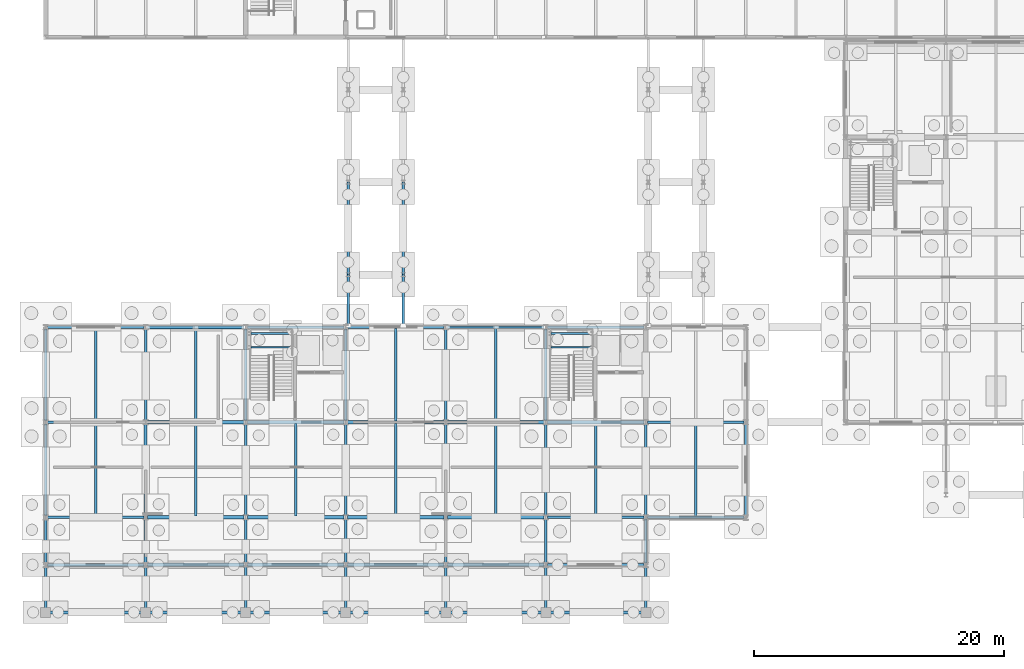
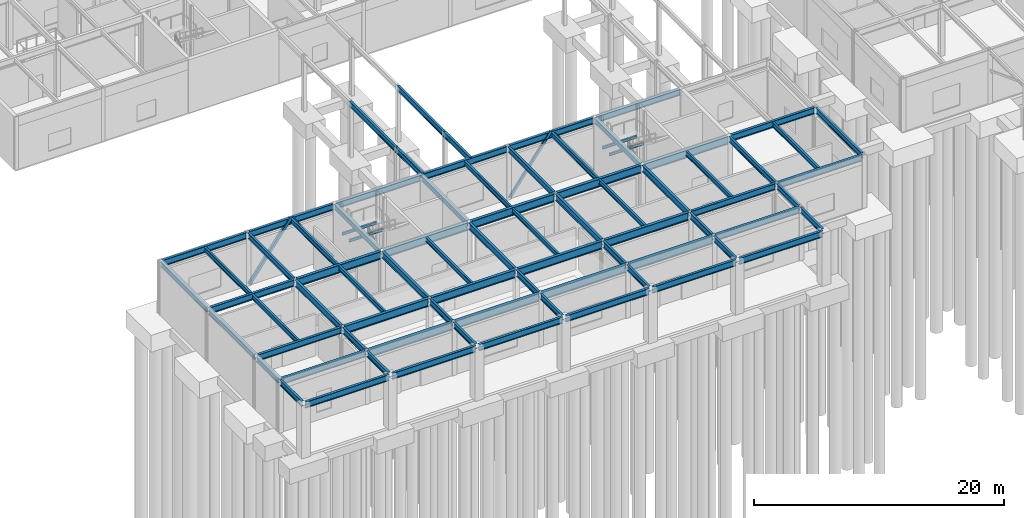
# One storey, part 28 of 62: 79 beams, 4 members.
"""IFC4 building model written with IfcOpenShell, lengths in metres."""

from ifc_helpers import new_model, si_unit, direction, frame, origin, origin_2d, place, context, subcontext, project, spatial, hollow_rectangle, i_section, extrude, material, material_profile, profile_set, type_object, element, save


model = new_model("IFC4")

# Units and contexts
model_context = context("Model", 3, precision=1e-05, world=origin(), true_north=direction((0.0, 1.0)))
body_context = subcontext(model_context, "Body", "Model", "MODEL_VIEW")
ifc_project = project(units=[si_unit("LENGTHUNIT", "METRE"), si_unit("AREAUNIT", "SQUARE_METRE"), si_unit("VOLUMEUNIT", "CUBIC_METRE"), si_unit("PLANEANGLEUNIT", "RADIAN"), si_unit("MASSUNIT", "GRAM", prefix="KILO")], contexts=[model_context])

# Site, building, storey
site_placement = place(None, origin())
site = spatial("IfcSite", under=ifc_project, at=site_placement, CompositionType="ELEMENT")
building_placement = place(site_placement, origin())
building = spatial("IfcBuilding", under=site, at=building_placement, Name="Zulena Civic Courthouse", CompositionType="ELEMENT")
storey_placement = place(building_placement, origin())
storey = spatial("IfcBuildingStorey", under=building, at=storey_placement, Name="L00", CompositionType="ELEMENT", Elevation=0.0)

# Members
ifc_material_1 = material(Name="Steel ASTM A500 Grade C", Category="steel")
ifc_material_profile_1 = material_profile(ifc_material_1, hollow_rectangle(XDim=0.25390625, YDim=0.25390625, WallThickness=0.01171875, at=origin_2d()), Name="HSS10X10X1/2")
ifc_profile_set_1 = profile_set([ifc_material_profile_1], Name="Steel ASTM A500 Grade C")
member_type_1 = type_object("IfcMemberType", Name="Brace_HSS10", PredefinedType="BRACE", material=ifc_profile_set_1)
for number, where, z_axis, x_axis, name in (
    (1, (12.14990234375, 22.800048828125, 0.010009765625), (0.593744110518, 0.0, 0.804653920158), (0.0, 1.0, 0.0), "brace:V2:L00:0:0"),
    (2, (19.85009765625, 22.800048828125, 0.010009765625), (-0.593744110518, 0.0, 0.804653920158), (0.0, -1.0, 0.0), "brace:V2:L00:0:1"),
):
    element("IfcMember", number, at=place(storey_placement, frame(where, z_axis=z_axis, x_axis=x_axis)), inside=storey, type_object=member_type_1, Name=name, PredefinedType="BRACE", context=body_context, shape_type="SweptSolid", body=[
        extrude(hollow_rectangle(XDim=0.25390625, YDim=0.25390625, WallThickness=0.01171875, at=origin_2d()), origin(), (0.0, 0.0, 1.0), 6.400146484375),
    ])
ifc_material_profile_2 = material_profile(ifc_material_1, hollow_rectangle(XDim=0.152099609375, YDim=0.25390625, WallThickness=0.0087890625, at=origin_2d()), Name="HSS10X6X3/8")
ifc_profile_set_2 = profile_set([ifc_material_profile_2], Name="Steel ASTM A500 Grade C")
member_type_2 = type_object("IfcMemberType", Name="Brace_HSS10X6", PredefinedType="BRACE", material=ifc_profile_set_2)
for number, where, z_axis, x_axis, name in (
    (3, (36.14990234375, 22.800048828125, 0.010009765625), (0.593744110518, 0.0, 0.804653920158), (0.0, 1.0, 0.0), "brace:V2:L00:1:0"),
    (4, (43.85009765625, 22.800048828125, 0.010009765625), (-0.593744110518, 0.0, 0.804653920158), (0.0, -1.0, 0.0), "brace:V2:L00:1:1"),
):
    element("IfcMember", number, at=place(storey_placement, frame(where, z_axis=z_axis, x_axis=x_axis)), inside=storey, type_object=member_type_2, Name=name, PredefinedType="BRACE", context=body_context, shape_type="SweptSolid", body=[
        extrude(hollow_rectangle(XDim=0.152099609375, YDim=0.25390625, WallThickness=0.0087890625, at=origin_2d()), origin(), (0.0, 0.0, 1.0), 6.400146484375),
    ])

# Beams
ifc_material_2 = material(Name="Steel ASTM A992 Grade 50", Category="steel")
ifc_material_profile_3 = material_profile(ifc_material_2, i_section(OverallWidth=0.2099609375, OverallDepth=0.537109375, WebThickness=0.010986328125, FlangeThickness=0.017333984375, FilletRadius=0.0126953125, at=origin_2d()), Name="W21X68")
ifc_profile_set_3 = profile_set([ifc_material_profile_3], Name="Steel ASTM A992 Grade 50")
beam_type_1 = type_object("IfcBeamType", Name="BridgeGirder_W21X68", PredefinedType="BEAM", material=ifc_profile_set_3)
beam_1_placement = place(storey_placement, frame((28.199951171875, 22.830078125, 4.9365234375), z_axis=(0.0, 1.0, 0.0), x_axis=(-1.0, 0.0, 0.0)))
element("IfcBeam", 5, at=beam_1_placement, inside=storey, type_object=beam_type_1, Name="beam:bridge:BR-52J:L01:28.20:0", PredefinedType="BEAM", context=body_context, shape_type="SweptSolid", body=[
    extrude(i_section(OverallWidth=0.2099609375, OverallDepth=0.537109375, WebThickness=0.010986328125, FlangeThickness=0.017333984375, FilletRadius=0.0126953125, at=origin_2d()), origin(), (0.0, 0.0, 1.0), 4.169921875),
])
beam_2_placement = place(storey_placement, frame((28.199951171875, 27.0, 4.9365234375), z_axis=(0.0, 1.0, 0.0), x_axis=(-1.0, 0.0, 0.0)))
element("IfcBeam", 6, at=beam_2_placement, inside=storey, type_object=beam_type_1, Name="beam:bridge:BR-52J:L01:28.20:1", PredefinedType="BEAM", context=body_context, shape_type="SweptSolid", body=[
    extrude(i_section(OverallWidth=0.2099609375, OverallDepth=0.537109375, WebThickness=0.010986328125, FlangeThickness=0.017333984375, FilletRadius=0.0126953125, at=origin_2d()), origin(), (0.0, 0.0, 1.0), 7.39990234375),
])
beam_3_placement = place(storey_placement, frame((32.60009765625, 22.830078125, 4.9365234375), z_axis=(0.0, 1.0, 0.0), x_axis=(-1.0, 0.0, 0.0)))
element("IfcBeam", 7, at=beam_3_placement, inside=storey, type_object=beam_type_1, Name="beam:bridge:BR-52J:L01:32.60:0", PredefinedType="BEAM", context=body_context, shape_type="SweptSolid", body=[
    extrude(i_section(OverallWidth=0.2099609375, OverallDepth=0.537109375, WebThickness=0.010986328125, FlangeThickness=0.017333984375, FilletRadius=0.0126953125, at=origin_2d()), origin(), (0.0, 0.0, 1.0), 4.169921875),
])
beam_4_placement = place(storey_placement, frame((32.60009765625, 27.0, 4.9365234375), z_axis=(0.0, 1.0, 0.0), x_axis=(-1.0, 0.0, 0.0)))
element("IfcBeam", 8, at=beam_4_placement, inside=storey, type_object=beam_type_1, Name="beam:bridge:BR-52J:L01:32.60:1", PredefinedType="BEAM", context=body_context, shape_type="SweptSolid", body=[
    extrude(i_section(OverallWidth=0.2099609375, OverallDepth=0.537109375, WebThickness=0.010986328125, FlangeThickness=0.017333984375, FilletRadius=0.0126953125, at=origin_2d()), origin(), (0.0, 0.0, 1.0), 7.39990234375),
])
ifc_material_profile_4 = material_profile(ifc_material_2, i_section(OverallWidth=0.22998046875, OverallDepth=0.616943359375, WebThickness=0.01318359375, FlangeThickness=0.022216796875, FilletRadius=0.0126953125, at=origin_2d()), Name="W24X94")
ifc_profile_set_4 = profile_set([ifc_material_profile_4], Name="Steel ASTM A992 Grade 50")
beam_type_2 = type_object("IfcBeamType", Name="Girder_W24X94", PredefinedType="BEAM", material=ifc_profile_set_4)
beam_5_placement = place(storey_placement, frame((12.0, 3.945068359375, 4.87646484375), z_axis=(0.0, 1.0, 0.0), x_axis=(-1.0, 0.0, 0.0)))
element("IfcBeam", 9, at=beam_5_placement, inside=storey, type_object=beam_type_2, Name="beam:Y:V2:L00:12.0:3.8_7.6", PredefinedType="BEAM", context=body_context, shape_type="SweptSolid", body=[
    extrude(i_section(OverallWidth=0.22998046875, OverallDepth=0.616943359375, WebThickness=0.01318359375, FlangeThickness=0.022216796875, FilletRadius=0.0126953125, at=origin_2d()), origin(), (0.0, 0.0, 1.0), 3.510009765625),
])
beam_6_placement = place(storey_placement, frame((12.0, 7.7451171875, 4.87646484375), z_axis=(0.0, 1.0, 0.0), x_axis=(-1.0, 0.0, 0.0)))
element("IfcBeam", 10, at=beam_6_placement, inside=storey, type_object=beam_type_2, Name="beam:Y:V2:L00:12.0:7.6_15.2", PredefinedType="BEAM", context=body_context, shape_type="SweptSolid", body=[
    extrude(i_section(OverallWidth=0.22998046875, OverallDepth=0.616943359375, WebThickness=0.01318359375, FlangeThickness=0.022216796875, FilletRadius=0.0126953125, at=origin_2d()), origin(), (0.0, 0.0, 1.0), 7.309814453125),
])
beam_7_placement = place(storey_placement, frame((20.0, 3.945068359375, 4.87646484375), z_axis=(0.0, 1.0, 0.0), x_axis=(-1.0, 0.0, 0.0)))
element("IfcBeam", 11, at=beam_7_placement, inside=storey, type_object=beam_type_2, Name="beam:Y:V2:L00:20.0:3.8_7.6", PredefinedType="BEAM", context=body_context, shape_type="SweptSolid", body=[
    extrude(i_section(OverallWidth=0.22998046875, OverallDepth=0.616943359375, WebThickness=0.01318359375, FlangeThickness=0.022216796875, FilletRadius=0.0126953125, at=origin_2d()), origin(), (0.0, 0.0, 1.0), 3.510009765625),
])
beam_8_placement = place(storey_placement, frame((20.0, 7.7451171875, 4.87646484375), z_axis=(0.0, 1.0, 0.0), x_axis=(-1.0, 0.0, 0.0)))
element("IfcBeam", 12, at=beam_8_placement, inside=storey, type_object=beam_type_2, Name="beam:Y:V2:L00:20.0:7.6_15.2", PredefinedType="BEAM", context=body_context, shape_type="SweptSolid", body=[
    extrude(i_section(OverallWidth=0.22998046875, OverallDepth=0.616943359375, WebThickness=0.01318359375, FlangeThickness=0.022216796875, FilletRadius=0.0126953125, at=origin_2d()), origin(), (0.0, 0.0, 1.0), 7.309814453125),
])
beam_9_placement = place(storey_placement, frame((28.0, 3.945068359375, 4.87646484375), z_axis=(0.0, 1.0, 0.0), x_axis=(-1.0, 0.0, 0.0)))
element("IfcBeam", 13, at=beam_9_placement, inside=storey, type_object=beam_type_2, Name="beam:Y:V2:L00:28.0:3.8_7.6", PredefinedType="BEAM", context=body_context, shape_type="SweptSolid", body=[
    extrude(i_section(OverallWidth=0.22998046875, OverallDepth=0.616943359375, WebThickness=0.01318359375, FlangeThickness=0.022216796875, FilletRadius=0.0126953125, at=origin_2d()), origin(), (0.0, 0.0, 1.0), 3.510009765625),
])
beam_10_placement = place(storey_placement, frame((28.0, 7.7451171875, 4.87646484375), z_axis=(0.0, 1.0, 0.0), x_axis=(-1.0, 0.0, 0.0)))
element("IfcBeam", 14, at=beam_10_placement, inside=storey, type_object=beam_type_2, Name="beam:Y:V2:L00:28.0:7.6_15.2", PredefinedType="BEAM", context=body_context, shape_type="SweptSolid", body=[
    extrude(i_section(OverallWidth=0.22998046875, OverallDepth=0.616943359375, WebThickness=0.01318359375, FlangeThickness=0.022216796875, FilletRadius=0.0126953125, at=origin_2d()), origin(), (0.0, 0.0, 1.0), 7.309814453125),
])
beam_11_placement = place(storey_placement, frame((36.0, 3.945068359375, 4.87646484375), z_axis=(0.0, 1.0, 0.0), x_axis=(-1.0, 0.0, 0.0)))
element("IfcBeam", 15, at=beam_11_placement, inside=storey, type_object=beam_type_2, Name="beam:Y:V2:L00:36.0:3.8_7.6", PredefinedType="BEAM", context=body_context, shape_type="SweptSolid", body=[
    extrude(i_section(OverallWidth=0.22998046875, OverallDepth=0.616943359375, WebThickness=0.01318359375, FlangeThickness=0.022216796875, FilletRadius=0.0126953125, at=origin_2d()), origin(), (0.0, 0.0, 1.0), 3.510009765625),
])
beam_12_placement = place(storey_placement, frame((36.0, 7.7451171875, 4.87646484375), z_axis=(0.0, 1.0, 0.0), x_axis=(-1.0, 0.0, 0.0)))
element("IfcBeam", 16, at=beam_12_placement, inside=storey, type_object=beam_type_2, Name="beam:Y:V2:L00:36.0:7.6_15.2", PredefinedType="BEAM", context=body_context, shape_type="SweptSolid", body=[
    extrude(i_section(OverallWidth=0.22998046875, OverallDepth=0.616943359375, WebThickness=0.01318359375, FlangeThickness=0.022216796875, FilletRadius=0.0126953125, at=origin_2d()), origin(), (0.0, 0.0, 1.0), 7.309814453125),
])
beam_13_placement = place(storey_placement, frame((44.0, 3.945068359375, 4.87646484375), z_axis=(0.0, 1.0, 0.0), x_axis=(-1.0, 0.0, 0.0)))
element("IfcBeam", 17, at=beam_13_placement, inside=storey, type_object=beam_type_2, Name="beam:Y:V2:L00:44.0:3.8_7.6", PredefinedType="BEAM", context=body_context, shape_type="SweptSolid", body=[
    extrude(i_section(OverallWidth=0.22998046875, OverallDepth=0.616943359375, WebThickness=0.01318359375, FlangeThickness=0.022216796875, FilletRadius=0.0126953125, at=origin_2d()), origin(), (0.0, 0.0, 1.0), 3.510009765625),
])
beam_14_placement = place(storey_placement, frame((44.0, 7.7451171875, 4.87646484375), z_axis=(0.0, 1.0, 0.0), x_axis=(-1.0, 0.0, 0.0)))
element("IfcBeam", 18, at=beam_14_placement, inside=storey, type_object=beam_type_2, Name="beam:Y:V2:L00:44.0:7.6_15.2", PredefinedType="BEAM", context=body_context, shape_type="SweptSolid", body=[
    extrude(i_section(OverallWidth=0.22998046875, OverallDepth=0.616943359375, WebThickness=0.01318359375, FlangeThickness=0.022216796875, FilletRadius=0.0126953125, at=origin_2d()), origin(), (0.0, 0.0, 1.0), 7.309814453125),
])
ifc_material_profile_5 = material_profile(ifc_material_2, i_section(OverallWidth=0.26611328125, OverallDepth=0.779052734375, WebThickness=0.0166015625, FlangeThickness=0.030029296875, FilletRadius=0.0166015625, at=origin_2d()), Name="W30X148")
ifc_profile_set_5 = profile_set([ifc_material_profile_5], Name="Steel ASTM A992 Grade 50")
beam_type_3 = type_object("IfcBeamType", Name="Girder_W30X148", PredefinedType="BEAM", material=ifc_profile_set_5)
for number, where, z_axis, x_axis, name in (
    (19, (12.14501953125, 3.800048828125, 4.79541015625), (1.0, 0.0, 0.0), (0.0, 1.0, 0.0), "beam:X:V2:L00:3.8:12.0_20.0"),
    (20, (20.14501953125, 3.800048828125, 4.79541015625), (1.0, 0.0, 0.0), (0.0, 1.0, 0.0), "beam:X:V2:L00:3.8:20.0_28.0"),
    (21, (28.14501953125, 3.800048828125, 4.79541015625), (1.0, 0.0, 0.0), (0.0, 1.0, 0.0), "beam:X:V2:L00:3.8:28.0_36.0"),
    (22, (36.14501953125, 3.800048828125, 4.79541015625), (1.0, 0.0, 0.0), (0.0, 1.0, 0.0), "beam:X:V2:L00:3.8:36.0_44.0"),
    (23, (12.14501953125, 7.60009765625, 4.79541015625), (1.0, 0.0, 0.0), (0.0, 1.0, 0.0), "beam:X:V2:L00:7.6:12.0_20.0"),
    (24, (20.14501953125, 7.60009765625, 4.79541015625), (1.0, 0.0, 0.0), (0.0, 1.0, 0.0), "beam:X:V2:L00:7.6:20.0_28.0"),
    (25, (28.14501953125, 7.60009765625, 4.79541015625), (1.0, 0.0, 0.0), (0.0, 1.0, 0.0), "beam:X:V2:L00:7.6:28.0_36.0"),
    (26, (36.14501953125, 7.60009765625, 4.79541015625), (1.0, 0.0, 0.0), (0.0, 1.0, 0.0), "beam:X:V2:L00:7.6:36.0_44.0"),
    (27, (12.14501953125, 15.199951171875, 4.79541015625), (1.0, 0.0, 0.0), (0.0, 1.0, 0.0), "beam:X:V2:L00:15.2:12.0_20.0"),
    (28, (20.14501953125, 15.199951171875, 4.79541015625), (1.0, 0.0, 0.0), (0.0, 1.0, 0.0), "beam:X:V2:L00:15.2:20.0_28.0"),
    (29, (28.14501953125, 15.199951171875, 4.79541015625), (1.0, 0.0, 0.0), (0.0, 1.0, 0.0), "beam:X:V2:L00:15.2:28.0_36.0"),
    (30, (36.14501953125, 15.199951171875, 4.79541015625), (1.0, 0.0, 0.0), (0.0, 1.0, 0.0), "beam:X:V2:L00:15.2:36.0_44.0"),
    (31, (44.14501953125, 15.199951171875, 4.79541015625), (1.0, 0.0, 0.0), (0.0, 1.0, 0.0), "beam:X:V2:L00:15.2:44.0_52.0"),
):
    element("IfcBeam", number, at=place(storey_placement, frame(where, z_axis=z_axis, x_axis=x_axis)), inside=storey, type_object=beam_type_3, Name=name, PredefinedType="BEAM", context=body_context, shape_type="SweptSolid", body=[
        extrude(i_section(OverallWidth=0.26611328125, OverallDepth=0.779052734375, WebThickness=0.0166015625, FlangeThickness=0.030029296875, FilletRadius=0.0166015625, at=origin_2d()), origin(), (0.0, 0.0, 1.0), 7.7099609375),
    ])
ifc_material_profile_6 = material_profile(ifc_material_2, i_section(OverallWidth=0.14599609375, OverallDepth=0.258056640625, WebThickness=0.006103515625, FlangeThickness=0.009033203125, FilletRadius=0.007568359375, at=origin_2d()), Name="W10X22")
ifc_profile_set_6 = profile_set([ifc_material_profile_6], Name="Steel ASTM A992 Grade 50")
beam_type_4 = type_object("IfcBeamType", Name="Joist_W10X22", PredefinedType="JOIST", material=ifc_profile_set_6)
for number, where, z_axis, x_axis, name in (
    (32, (20.419921875, 21.199951171875, 2.291015625), (1.0, 0.0, 0.0), (0.0, 1.0, 0.0), "beam:lnd:K2A:L00:0"),
    (33, (20.419921875, 22.300048828125, 2.291015625), (1.0, 0.0, 0.0), (0.0, 1.0, 0.0), "beam:lnd:K2A:L00:1"),
    (34, (44.419921875, 21.199951171875, 2.291015625), (1.0, 0.0, 0.0), (0.0, 1.0, 0.0), "beam:lnd:K2B:L00:0"),
    (35, (44.419921875, 22.300048828125, 2.291015625), (1.0, 0.0, 0.0), (0.0, 1.0, 0.0), "beam:lnd:K2B:L00:1"),
):
    element("IfcBeam", number, at=place(storey_placement, frame(where, z_axis=z_axis, x_axis=x_axis)), inside=storey, type_object=beam_type_4, Name=name, PredefinedType="JOIST", context=body_context, shape_type="SweptSolid", body=[
        extrude(i_section(OverallWidth=0.14599609375, OverallDepth=0.258056640625, WebThickness=0.006103515625, FlangeThickness=0.009033203125, FilletRadius=0.007568359375, at=origin_2d()), origin(), (0.0, 0.0, 1.0), 3.2001953125),
    ])
ifc_material_profile_7 = material_profile(ifc_material_2, i_section(OverallWidth=0.19091796875, OverallDepth=0.4599609375, WebThickness=0.010009765625, FlangeThickness=0.01611328125, FilletRadius=0.01025390625, at=origin_2d()), Name="W18X55")
ifc_profile_set_7 = profile_set([ifc_material_profile_7], Name="Steel ASTM A992 Grade 50")
beam_type_5 = type_object("IfcBeamType", Name="Joist_W18X55", PredefinedType="JOIST", material=ifc_profile_set_7)
beam_15_placement = place(storey_placement, frame((8.0, 7.705078125, 4.955078125), z_axis=(0.0, 1.0, 0.0), x_axis=(-1.0, 0.0, 0.0)))
element("IfcBeam", 36, at=beam_15_placement, inside=storey, type_object=beam_type_5, Name="joist:V2:L00:8.00:7.6_15.2", PredefinedType="JOIST", context=body_context, shape_type="SweptSolid", body=[
    extrude(i_section(OverallWidth=0.19091796875, OverallDepth=0.4599609375, WebThickness=0.010009765625, FlangeThickness=0.01611328125, FilletRadius=0.01025390625, at=origin_2d()), origin(), (0.0, 0.0, 1.0), 7.389892578125),
])
beam_16_placement = place(storey_placement, frame((8.0, 15.304931640625, 4.955078125), z_axis=(0.0, 1.0, 0.0), x_axis=(-1.0, 0.0, 0.0)))
element("IfcBeam", 37, at=beam_16_placement, inside=storey, type_object=beam_type_5, Name="joist:V2:L00:8.00:15.2_22.8", PredefinedType="JOIST", context=body_context, shape_type="SweptSolid", body=[
    extrude(i_section(OverallWidth=0.19091796875, OverallDepth=0.4599609375, WebThickness=0.010009765625, FlangeThickness=0.01611328125, FilletRadius=0.01025390625, at=origin_2d()), origin(), (0.0, 0.0, 1.0), 7.39013671875),
])
beam_17_placement = place(storey_placement, frame((16.0, 7.705078125, 4.955078125), z_axis=(0.0, 1.0, 0.0), x_axis=(-1.0, 0.0, 0.0)))
element("IfcBeam", 38, at=beam_17_placement, inside=storey, type_object=beam_type_5, Name="joist:V2:L00:16.00:7.6_15.2", PredefinedType="JOIST", context=body_context, shape_type="SweptSolid", body=[
    extrude(i_section(OverallWidth=0.19091796875, OverallDepth=0.4599609375, WebThickness=0.010009765625, FlangeThickness=0.01611328125, FilletRadius=0.01025390625, at=origin_2d()), origin(), (0.0, 0.0, 1.0), 7.389892578125),
])
beam_18_placement = place(storey_placement, frame((16.0, 15.304931640625, 4.955078125), z_axis=(0.0, 1.0, 0.0), x_axis=(-1.0, 0.0, 0.0)))
element("IfcBeam", 39, at=beam_18_placement, inside=storey, type_object=beam_type_5, Name="joist:V2:L00:16.00:15.2_22.8", PredefinedType="JOIST", context=body_context, shape_type="SweptSolid", body=[
    extrude(i_section(OverallWidth=0.19091796875, OverallDepth=0.4599609375, WebThickness=0.010009765625, FlangeThickness=0.01611328125, FilletRadius=0.01025390625, at=origin_2d()), origin(), (0.0, 0.0, 1.0), 7.39013671875),
])
for number, where, z_axis, x_axis, name in (
    (40, (24.0, 7.705078125, 4.955078125), (0.0, 1.0, 0.0), (-1.0, 0.0, 0.0), "joist:V2:L00:24.00:7.6_15.2"),
    (41, (32.0, 7.705078125, 4.955078125), (0.0, 1.0, 0.0), (-1.0, 0.0, 0.0), "joist:V2:L00:32.00:7.6_15.2"),
):
    element("IfcBeam", number, at=place(storey_placement, frame(where, z_axis=z_axis, x_axis=x_axis)), inside=storey, type_object=beam_type_5, Name=name, PredefinedType="JOIST", context=body_context, shape_type="SweptSolid", body=[
        extrude(i_section(OverallWidth=0.19091796875, OverallDepth=0.4599609375, WebThickness=0.010009765625, FlangeThickness=0.01611328125, FilletRadius=0.01025390625, at=origin_2d()), origin(), (0.0, 0.0, 1.0), 7.389892578125),
    ])
beam_19_placement = place(storey_placement, frame((32.0, 15.304931640625, 4.955078125), z_axis=(0.0, 1.0, 0.0), x_axis=(-1.0, 0.0, 0.0)))
element("IfcBeam", 42, at=beam_19_placement, inside=storey, type_object=beam_type_5, Name="joist:V2:L00:32.00:15.2_22.8", PredefinedType="JOIST", context=body_context, shape_type="SweptSolid", body=[
    extrude(i_section(OverallWidth=0.19091796875, OverallDepth=0.4599609375, WebThickness=0.010009765625, FlangeThickness=0.01611328125, FilletRadius=0.01025390625, at=origin_2d()), origin(), (0.0, 0.0, 1.0), 7.39013671875),
])
beam_20_placement = place(storey_placement, frame((40.0, 7.705078125, 4.955078125), z_axis=(0.0, 1.0, 0.0), x_axis=(-1.0, 0.0, 0.0)))
element("IfcBeam", 43, at=beam_20_placement, inside=storey, type_object=beam_type_5, Name="joist:V2:L00:40.00:7.6_15.2", PredefinedType="JOIST", context=body_context, shape_type="SweptSolid", body=[
    extrude(i_section(OverallWidth=0.19091796875, OverallDepth=0.4599609375, WebThickness=0.010009765625, FlangeThickness=0.01611328125, FilletRadius=0.01025390625, at=origin_2d()), origin(), (0.0, 0.0, 1.0), 7.389892578125),
])
beam_21_placement = place(storey_placement, frame((40.0, 15.304931640625, 4.955078125), z_axis=(0.0, 1.0, 0.0), x_axis=(-1.0, 0.0, 0.0)))
element("IfcBeam", 44, at=beam_21_placement, inside=storey, type_object=beam_type_5, Name="joist:V2:L00:40.00:15.2_22.8", PredefinedType="JOIST", context=body_context, shape_type="SweptSolid", body=[
    extrude(i_section(OverallWidth=0.19091796875, OverallDepth=0.4599609375, WebThickness=0.010009765625, FlangeThickness=0.01611328125, FilletRadius=0.01025390625, at=origin_2d()), origin(), (0.0, 0.0, 1.0), 7.39013671875),
])
for number, where, z_axis, x_axis, name in (
    (45, (48.0, 7.705078125, 4.955078125), (0.0, 1.0, 0.0), (-1.0, 0.0, 0.0), "joist:V2:L00:48.00:7.6_15.2"),
    (46, (56.0, 7.705078125, 4.955078125), (0.0, 1.0, 0.0), (-1.0, 0.0, 0.0), "joist:V2:L00:56.00:7.6_15.2"),
):
    element("IfcBeam", number, at=place(storey_placement, frame(where, z_axis=z_axis, x_axis=x_axis)), inside=storey, type_object=beam_type_5, Name=name, PredefinedType="JOIST", context=body_context, shape_type="SweptSolid", body=[
        extrude(i_section(OverallWidth=0.19091796875, OverallDepth=0.4599609375, WebThickness=0.010009765625, FlangeThickness=0.01611328125, FilletRadius=0.01025390625, at=origin_2d()), origin(), (0.0, 0.0, 1.0), 7.389892578125),
    ])
ifc_material_profile_8 = material_profile(ifc_material_2, i_section(OverallWidth=0.2099609375, OverallDepth=0.537109375, WebThickness=0.010986328125, FlangeThickness=0.017333984375, FilletRadius=0.0126953125, at=origin_2d()), Name="W21X68")
ifc_profile_set_8 = profile_set([ifc_material_profile_8], Name="Steel ASTM A992 Grade 50")
beam_type_6 = type_object("IfcBeamType", Name="Spandrel_W21X68", PredefinedType="SPANDREL", material=ifc_profile_set_8)
for number, where, z_axis, x_axis, name in (
    (47, (4.0, 0.14501953125, 4.91650390625), (0.0, 1.0, 0.0), (-1.0, 0.0, 0.0), "beam:Y:V2:L00:4.0:0.0_3.8"),
    (48, (4.0, 3.945068359375, 4.91650390625), (0.0, 1.0, 0.0), (-1.0, 0.0, 0.0), "beam:Y:V2:L00:4.0:3.8_7.6"),
):
    element("IfcBeam", number, at=place(storey_placement, frame(where, z_axis=z_axis, x_axis=x_axis)), inside=storey, type_object=beam_type_6, Name=name, PredefinedType="SPANDREL", context=body_context, shape_type="SweptSolid", body=[
        extrude(i_section(OverallWidth=0.2099609375, OverallDepth=0.537109375, WebThickness=0.010986328125, FlangeThickness=0.017333984375, FilletRadius=0.0126953125, at=origin_2d()), origin(), (0.0, 0.0, 1.0), 3.510009765625),
    ])
beam_22_placement = place(storey_placement, frame((4.0, 7.7451171875, 4.91650390625), z_axis=(0.0, 1.0, 0.0), x_axis=(-1.0, 0.0, 0.0)))
element("IfcBeam", 49, at=beam_22_placement, inside=storey, type_object=beam_type_6, Name="beam:Y:V2:L00:4.0:7.6_15.2", PredefinedType="SPANDREL", context=body_context, shape_type="SweptSolid", body=[
    extrude(i_section(OverallWidth=0.2099609375, OverallDepth=0.537109375, WebThickness=0.010986328125, FlangeThickness=0.017333984375, FilletRadius=0.0126953125, at=origin_2d()), origin(), (0.0, 0.0, 1.0), 7.309814453125),
])
beam_23_placement = place(storey_placement, frame((4.0, 15.344970703125, 4.91650390625), z_axis=(0.0, 1.0, 0.0), x_axis=(-1.0, 0.0, 0.0)))
element("IfcBeam", 50, at=beam_23_placement, inside=storey, type_object=beam_type_6, Name="beam:Y:V2:L00:4.0:15.2_22.8", PredefinedType="SPANDREL", context=body_context, shape_type="SweptSolid", body=[
    extrude(i_section(OverallWidth=0.2099609375, OverallDepth=0.537109375, WebThickness=0.010986328125, FlangeThickness=0.017333984375, FilletRadius=0.0126953125, at=origin_2d()), origin(), (0.0, 0.0, 1.0), 7.31005859375),
])
beam_24_placement = place(storey_placement, frame((12.0, 0.14501953125, 4.91650390625), z_axis=(0.0, 1.0, 0.0), x_axis=(-1.0, 0.0, 0.0)))
element("IfcBeam", 51, at=beam_24_placement, inside=storey, type_object=beam_type_6, Name="beam:Y:V2:L00:12.0:0.0_3.8", PredefinedType="SPANDREL", context=body_context, shape_type="SweptSolid", body=[
    extrude(i_section(OverallWidth=0.2099609375, OverallDepth=0.537109375, WebThickness=0.010986328125, FlangeThickness=0.017333984375, FilletRadius=0.0126953125, at=origin_2d()), origin(), (0.0, 0.0, 1.0), 3.510009765625),
])
beam_25_placement = place(storey_placement, frame((12.0, 15.344970703125, 4.91650390625), z_axis=(0.0, 1.0, 0.0), x_axis=(-1.0, 0.0, 0.0)))
element("IfcBeam", 52, at=beam_25_placement, inside=storey, type_object=beam_type_6, Name="beam:Y:V2:L00:12.0:15.2_22.8", PredefinedType="SPANDREL", context=body_context, shape_type="SweptSolid", body=[
    extrude(i_section(OverallWidth=0.2099609375, OverallDepth=0.537109375, WebThickness=0.010986328125, FlangeThickness=0.017333984375, FilletRadius=0.0126953125, at=origin_2d()), origin(), (0.0, 0.0, 1.0), 7.31005859375),
])
beam_26_placement = place(storey_placement, frame((20.0, 0.14501953125, 4.91650390625), z_axis=(0.0, 1.0, 0.0), x_axis=(-1.0, 0.0, 0.0)))
element("IfcBeam", 53, at=beam_26_placement, inside=storey, type_object=beam_type_6, Name="beam:Y:V2:L00:20.0:0.0_3.8", PredefinedType="SPANDREL", context=body_context, shape_type="SweptSolid", body=[
    extrude(i_section(OverallWidth=0.2099609375, OverallDepth=0.537109375, WebThickness=0.010986328125, FlangeThickness=0.017333984375, FilletRadius=0.0126953125, at=origin_2d()), origin(), (0.0, 0.0, 1.0), 3.510009765625),
])
beam_27_placement = place(storey_placement, frame((20.0, 15.344970703125, 4.91650390625), z_axis=(0.0, 1.0, 0.0), x_axis=(-1.0, 0.0, 0.0)))
element("IfcBeam", 54, at=beam_27_placement, inside=storey, type_object=beam_type_6, Name="beam:Y:V2:L00:20.0:15.2_22.8", PredefinedType="SPANDREL", context=body_context, shape_type="SweptSolid", body=[
    extrude(i_section(OverallWidth=0.2099609375, OverallDepth=0.537109375, WebThickness=0.010986328125, FlangeThickness=0.017333984375, FilletRadius=0.0126953125, at=origin_2d()), origin(), (0.0, 0.0, 1.0), 7.31005859375),
])
beam_28_placement = place(storey_placement, frame((28.0, 0.14501953125, 4.91650390625), z_axis=(0.0, 1.0, 0.0), x_axis=(-1.0, 0.0, 0.0)))
element("IfcBeam", 55, at=beam_28_placement, inside=storey, type_object=beam_type_6, Name="beam:Y:V2:L00:28.0:0.0_3.8", PredefinedType="SPANDREL", context=body_context, shape_type="SweptSolid", body=[
    extrude(i_section(OverallWidth=0.2099609375, OverallDepth=0.537109375, WebThickness=0.010986328125, FlangeThickness=0.017333984375, FilletRadius=0.0126953125, at=origin_2d()), origin(), (0.0, 0.0, 1.0), 3.510009765625),
])
beam_29_placement = place(storey_placement, frame((28.0, 15.344970703125, 4.91650390625), z_axis=(0.0, 1.0, 0.0), x_axis=(-1.0, 0.0, 0.0)))
element("IfcBeam", 56, at=beam_29_placement, inside=storey, type_object=beam_type_6, Name="beam:Y:V2:L00:28.0:15.2_22.8", PredefinedType="SPANDREL", context=body_context, shape_type="SweptSolid", body=[
    extrude(i_section(OverallWidth=0.2099609375, OverallDepth=0.537109375, WebThickness=0.010986328125, FlangeThickness=0.017333984375, FilletRadius=0.0126953125, at=origin_2d()), origin(), (0.0, 0.0, 1.0), 7.31005859375),
])
beam_30_placement = place(storey_placement, frame((36.0, 0.14501953125, 4.91650390625), z_axis=(0.0, 1.0, 0.0), x_axis=(-1.0, 0.0, 0.0)))
element("IfcBeam", 57, at=beam_30_placement, inside=storey, type_object=beam_type_6, Name="beam:Y:V2:L00:36.0:0.0_3.8", PredefinedType="SPANDREL", context=body_context, shape_type="SweptSolid", body=[
    extrude(i_section(OverallWidth=0.2099609375, OverallDepth=0.537109375, WebThickness=0.010986328125, FlangeThickness=0.017333984375, FilletRadius=0.0126953125, at=origin_2d()), origin(), (0.0, 0.0, 1.0), 3.510009765625),
])
beam_31_placement = place(storey_placement, frame((36.0, 15.344970703125, 4.91650390625), z_axis=(0.0, 1.0, 0.0), x_axis=(-1.0, 0.0, 0.0)))
element("IfcBeam", 58, at=beam_31_placement, inside=storey, type_object=beam_type_6, Name="beam:Y:V2:L00:36.0:15.2_22.8", PredefinedType="SPANDREL", context=body_context, shape_type="SweptSolid", body=[
    extrude(i_section(OverallWidth=0.2099609375, OverallDepth=0.537109375, WebThickness=0.010986328125, FlangeThickness=0.017333984375, FilletRadius=0.0126953125, at=origin_2d()), origin(), (0.0, 0.0, 1.0), 7.31005859375),
])
beam_32_placement = place(storey_placement, frame((44.0, 0.14501953125, 4.91650390625), z_axis=(0.0, 1.0, 0.0), x_axis=(-1.0, 0.0, 0.0)))
element("IfcBeam", 59, at=beam_32_placement, inside=storey, type_object=beam_type_6, Name="beam:Y:V2:L00:44.0:0.0_3.8", PredefinedType="SPANDREL", context=body_context, shape_type="SweptSolid", body=[
    extrude(i_section(OverallWidth=0.2099609375, OverallDepth=0.537109375, WebThickness=0.010986328125, FlangeThickness=0.017333984375, FilletRadius=0.0126953125, at=origin_2d()), origin(), (0.0, 0.0, 1.0), 3.510009765625),
])
beam_33_placement = place(storey_placement, frame((44.0, 15.344970703125, 4.91650390625), z_axis=(0.0, 1.0, 0.0), x_axis=(-1.0, 0.0, 0.0)))
element("IfcBeam", 60, at=beam_33_placement, inside=storey, type_object=beam_type_6, Name="beam:Y:V2:L00:44.0:15.2_22.8", PredefinedType="SPANDREL", context=body_context, shape_type="SweptSolid", body=[
    extrude(i_section(OverallWidth=0.2099609375, OverallDepth=0.537109375, WebThickness=0.010986328125, FlangeThickness=0.017333984375, FilletRadius=0.0126953125, at=origin_2d()), origin(), (0.0, 0.0, 1.0), 7.31005859375),
])
for number, where, z_axis, x_axis, name in (
    (61, (52.0, 0.14501953125, 4.91650390625), (0.0, 1.0, 0.0), (-1.0, 0.0, 0.0), "beam:Y:V2:L00:52.0:0.0_3.8"),
    (62, (52.0, 3.945068359375, 4.91650390625), (0.0, 1.0, 0.0), (-1.0, 0.0, 0.0), "beam:Y:V2:L00:52.0:3.8_7.6"),
):
    element("IfcBeam", number, at=place(storey_placement, frame(where, z_axis=z_axis, x_axis=x_axis)), inside=storey, type_object=beam_type_6, Name=name, PredefinedType="SPANDREL", context=body_context, shape_type="SweptSolid", body=[
        extrude(i_section(OverallWidth=0.2099609375, OverallDepth=0.537109375, WebThickness=0.010986328125, FlangeThickness=0.017333984375, FilletRadius=0.0126953125, at=origin_2d()), origin(), (0.0, 0.0, 1.0), 3.510009765625),
    ])
for number, where, z_axis, x_axis, name in (
    (63, (52.0, 7.7451171875, 4.91650390625), (0.0, 1.0, 0.0), (-1.0, 0.0, 0.0), "beam:Y:V2:L00:52.0:7.6_15.2"),
    (64, (60.0, 7.7451171875, 4.91650390625), (0.0, 1.0, 0.0), (-1.0, 0.0, 0.0), "beam:Y:V2:L00:60.0:7.6_15.2"),
):
    element("IfcBeam", number, at=place(storey_placement, frame(where, z_axis=z_axis, x_axis=x_axis)), inside=storey, type_object=beam_type_6, Name=name, PredefinedType="SPANDREL", context=body_context, shape_type="SweptSolid", body=[
        extrude(i_section(OverallWidth=0.2099609375, OverallDepth=0.537109375, WebThickness=0.010986328125, FlangeThickness=0.017333984375, FilletRadius=0.0126953125, at=origin_2d()), origin(), (0.0, 0.0, 1.0), 7.309814453125),
    ])
ifc_material_profile_9 = material_profile(ifc_material_2, i_section(OverallWidth=0.22998046875, OverallDepth=0.616943359375, WebThickness=0.01318359375, FlangeThickness=0.022216796875, FilletRadius=0.0126953125, at=origin_2d()), Name="W24X94")
ifc_profile_set_9 = profile_set([ifc_material_profile_9], Name="Steel ASTM A992 Grade 50")
beam_type_7 = type_object("IfcBeamType", Name="Spandrel_W24X94", PredefinedType="SPANDREL", material=ifc_profile_set_9)
for number, where, z_axis, x_axis, name in (
    (65, (4.14501953125, 0.0, 4.87646484375), (1.0, 0.0, 0.0), (0.0, 1.0, 0.0), "beam:X:V2:L00:0.0:4.0_12.0"),
    (66, (12.14501953125, 0.0, 4.87646484375), (1.0, 0.0, 0.0), (0.0, 1.0, 0.0), "beam:X:V2:L00:0.0:12.0_20.0"),
    (67, (20.14501953125, 0.0, 4.87646484375), (1.0, 0.0, 0.0), (0.0, 1.0, 0.0), "beam:X:V2:L00:0.0:20.0_28.0"),
    (68, (28.14501953125, 0.0, 4.87646484375), (1.0, 0.0, 0.0), (0.0, 1.0, 0.0), "beam:X:V2:L00:0.0:28.0_36.0"),
    (69, (36.14501953125, 0.0, 4.87646484375), (1.0, 0.0, 0.0), (0.0, 1.0, 0.0), "beam:X:V2:L00:0.0:36.0_44.0"),
    (70, (44.14501953125, 0.0, 4.87646484375), (1.0, 0.0, 0.0), (0.0, 1.0, 0.0), "beam:X:V2:L00:0.0:44.0_52.0"),
    (71, (4.14501953125, 3.800048828125, 4.87646484375), (1.0, 0.0, 0.0), (0.0, 1.0, 0.0), "beam:X:V2:L00:3.8:4.0_12.0"),
    (72, (44.14501953125, 3.800048828125, 4.87646484375), (1.0, 0.0, 0.0), (0.0, 1.0, 0.0), "beam:X:V2:L00:3.8:44.0_52.0"),
    (73, (4.14501953125, 7.60009765625, 4.87646484375), (1.0, 0.0, 0.0), (0.0, 1.0, 0.0), "beam:X:V2:L00:7.6:4.0_12.0"),
    (74, (44.14501953125, 7.60009765625, 4.87646484375), (1.0, 0.0, 0.0), (0.0, 1.0, 0.0), "beam:X:V2:L00:7.6:44.0_52.0"),
    (75, (52.14501953125, 7.60009765625, 4.87646484375), (1.0, 0.0, 0.0), (0.0, 1.0, 0.0), "beam:X:V2:L00:7.6:52.0_60.0"),
    (76, (4.14501953125, 15.199951171875, 4.87646484375), (1.0, 0.0, 0.0), (0.0, 1.0, 0.0), "beam:X:V2:L00:15.2:4.0_12.0"),
    (77, (52.14501953125, 15.199951171875, 4.87646484375), (1.0, 0.0, 0.0), (0.0, 1.0, 0.0), "beam:X:V2:L00:15.2:52.0_60.0"),
    (78, (4.14501953125, 22.800048828125, 4.87646484375), (1.0, 0.0, 0.0), (0.0, 1.0, 0.0), "beam:X:V2:L00:22.8:4.0_12.0"),
    (79, (12.14501953125, 22.800048828125, 4.87646484375), (1.0, 0.0, 0.0), (0.0, 1.0, 0.0), "beam:X:V2:L00:22.8:12.0_20.0"),
    (80, (20.14501953125, 22.800048828125, 4.87646484375), (1.0, 0.0, 0.0), (0.0, 1.0, 0.0), "beam:X:V2:L00:22.8:20.0_28.0"),
    (81, (28.14501953125, 22.800048828125, 4.87646484375), (1.0, 0.0, 0.0), (0.0, 1.0, 0.0), "beam:X:V2:L00:22.8:28.0_36.0"),
    (82, (36.14501953125, 22.800048828125, 4.87646484375), (1.0, 0.0, 0.0), (0.0, 1.0, 0.0), "beam:X:V2:L00:22.8:36.0_44.0"),
    (83, (44.14501953125, 22.800048828125, 4.87646484375), (1.0, 0.0, 0.0), (0.0, 1.0, 0.0), "beam:X:V2:L00:22.8:44.0_52.0"),
):
    element("IfcBeam", number, at=place(storey_placement, frame(where, z_axis=z_axis, x_axis=x_axis)), inside=storey, type_object=beam_type_7, Name=name, PredefinedType="SPANDREL", context=body_context, shape_type="SweptSolid", body=[
        extrude(i_section(OverallWidth=0.22998046875, OverallDepth=0.616943359375, WebThickness=0.01318359375, FlangeThickness=0.022216796875, FilletRadius=0.0126953125, at=origin_2d()), origin(), (0.0, 0.0, 1.0), 7.7099609375),
    ])

save(model, "model.ifc")
